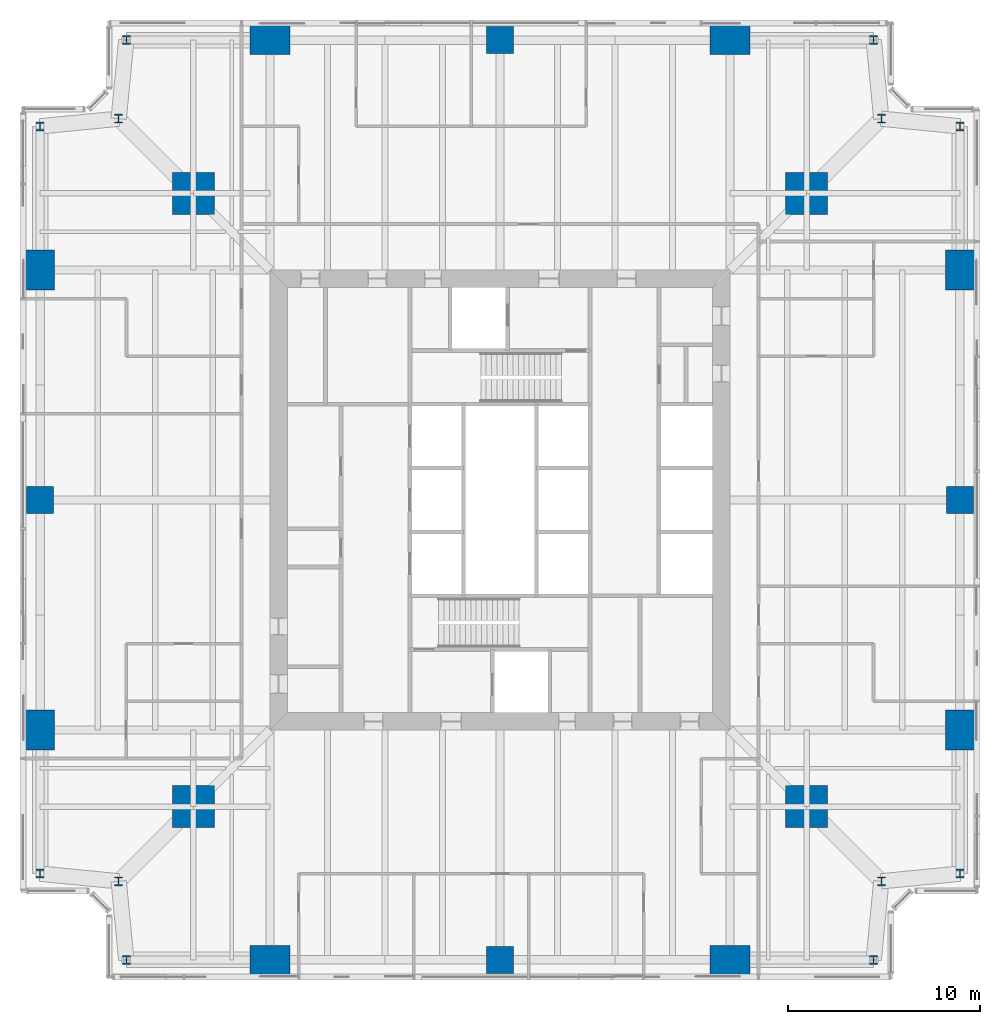
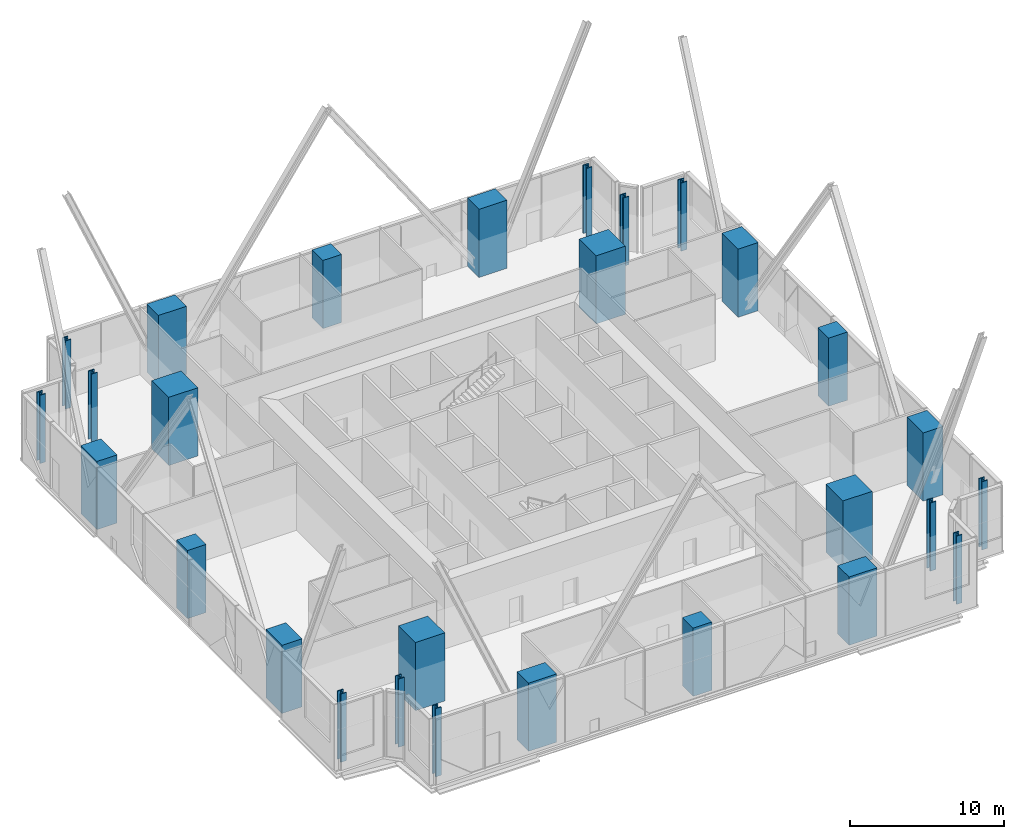
# One storey, part 1 of 13: 28 columns.
"""IFC4 building model written with IfcOpenShell, lengths in metres."""

from ifc_helpers import new_model, si_unit, direction, frame, origin, origin_2d, place, context, subcontext, project, spatial, rectangle, i_section, extrude, material, material_profile, profile_set, type_object, element, save


model = new_model("IFC4")

# Units and contexts
model_context = context("Model", 3, precision=1e-05, world=origin(), true_north=direction((0.0, 1.0)))
body_context = subcontext(model_context, "Body", "Model", "MODEL_VIEW")
ifc_project = project(units=[si_unit("LENGTHUNIT", "METRE"), si_unit("AREAUNIT", "SQUARE_METRE"), si_unit("VOLUMEUNIT", "CUBIC_METRE"), si_unit("PLANEANGLEUNIT", "RADIAN"), si_unit("MASSUNIT", "GRAM", prefix="KILO")], contexts=[model_context])

# Site, building, storey
site_placement = place(None, origin())
site = spatial("IfcSite", under=ifc_project, at=site_placement, CompositionType="ELEMENT")
building_placement = place(site_placement, origin())
building = spatial("IfcBuilding", under=site, at=building_placement, Name="Fenwick Lantern Interchange", CompositionType="ELEMENT")
storey_placement = place(building_placement, frame((0.0, 0.0, 97.0)))
storey = spatial("IfcBuildingStorey", under=building, at=storey_placement, Name="L22", CompositionType="ELEMENT", Elevation=97.0)

# Columns
ifc_material_1 = material(Name="Concrete f'c 70 MPa", Category="concrete")
ifc_material_profile_1 = material_profile(ifc_material_1, rectangle(XDim=2.199951171875, YDim=2.199951171875, at=origin_2d()), Name="RC2200X2200")
ifc_profile_set_1 = profile_set([ifc_material_profile_1], Name="Concrete f'c 70 MPa")
column_type_1 = type_object("IfcColumnType", Name="MEGA COLUMN RC2200X2200", PredefinedType="COLUMN", material=ifc_profile_set_1)
for number, where, z_axis, x_axis, name in (
    (1, (9.0, 9.0, 0.0), (0.0, 0.0, 1.0), (1.0, 0.0, 0.0), "L22/M1"),
    (2, (41.0, 9.0, 0.0), (0.0, 0.0, 1.0), (1.0, 0.0, 0.0), "L22/M2"),
    (3, (41.0, 41.0, 0.0), (0.0, 0.0, 1.0), (1.0, 0.0, 0.0), "L22/M3"),
    (4, (9.0, 41.0, 0.0), (0.0, 0.0, 1.0), (1.0, 0.0, 0.0), "L22/M4"),
):
    element("IfcColumn", number, at=place(storey_placement, frame(where, z_axis=z_axis, x_axis=x_axis)), inside=storey, type_object=column_type_1, Name=name, PredefinedType="COLUMN", context=body_context, shape_type="SweptSolid", body=[
        extrude(rectangle(XDim=2.199951171875, YDim=2.199951171875, at=origin_2d()), origin(), (0.0, 0.0, 1.0), 5.39990234375),
    ])
ifc_material_profile_2 = material_profile(ifc_material_1, rectangle(XDim=1.39990234375, YDim=1.39990234375, at=origin_2d()), Name="RC1400X1400")
ifc_profile_set_2 = profile_set([ifc_material_profile_2], Name="Concrete f'c 70 MPa")
column_type_2 = type_object("IfcColumnType", Name="PERIMETER COLUMN RC1400X1400", PredefinedType="COLUMN", material=ifc_profile_set_2)
for number, where, z_axis, x_axis, name in (
    (5, (25.0, 1.0, 0.0), (0.0, 0.0, 1.0), (1.0, 0.0, 0.0), "L22/CS3"),
    (6, (49.0, 25.0, 0.0), (0.0, 0.0, 1.0), (1.0, 0.0, 0.0), "L22/CE3"),
    (7, (25.0, 49.0, 0.0), (0.0, 0.0, 1.0), (1.0, 0.0, 0.0), "L22/CN3"),
    (8, (1.0, 25.0, 0.0), (0.0, 0.0, 1.0), (1.0, 0.0, 0.0), "L22/CW3"),
):
    element("IfcColumn", number, at=place(storey_placement, frame(where, z_axis=z_axis, x_axis=x_axis)), inside=storey, type_object=column_type_2, Name=name, PredefinedType="COLUMN", context=body_context, shape_type="SweptSolid", body=[
        extrude(rectangle(XDim=1.39990234375, YDim=1.39990234375, at=origin_2d()), origin(), (0.0, 0.0, 1.0), 5.39990234375),
    ])
ifc_material_profile_3 = material_profile(ifc_material_1, rectangle(XDim=1.5, YDim=2.10009765625, at=origin_2d()), Name="RC1500X2100")
ifc_profile_set_3 = profile_set([ifc_material_profile_3], Name="Concrete f'c 70 MPa")
column_type_3 = type_object("IfcColumnType", Name="PERIMETER COLUMN RC1500X2100", PredefinedType="COLUMN", material=ifc_profile_set_3)
for number, where, z_axis, x_axis, name in (
    (9, (49.0, 13.0, 0.0), (0.0, 0.0, 1.0), (1.0, 0.0, 0.0), "L22/CE2"),
    (10, (49.0, 37.0, 0.0), (0.0, 0.0, 1.0), (1.0, 0.0, 0.0), "L22/CE4"),
    (11, (1.0, 37.0, 0.0), (0.0, 0.0, 1.0), (1.0, 0.0, 0.0), "L22/CW2"),
    (12, (1.0, 13.0, 0.0), (0.0, 0.0, 1.0), (1.0, 0.0, 0.0), "L22/CW4"),
):
    element("IfcColumn", number, at=place(storey_placement, frame(where, z_axis=z_axis, x_axis=x_axis)), inside=storey, type_object=column_type_3, Name=name, PredefinedType="COLUMN", context=body_context, shape_type="SweptSolid", body=[
        extrude(rectangle(XDim=1.5, YDim=2.10009765625, at=origin_2d()), origin(), (0.0, 0.0, 1.0), 5.39990234375),
    ])
ifc_material_profile_4 = material_profile(ifc_material_1, rectangle(XDim=2.10009765625, YDim=1.5, at=origin_2d()), Name="RC2100X1500")
ifc_profile_set_4 = profile_set([ifc_material_profile_4], Name="Concrete f'c 70 MPa")
column_type_4 = type_object("IfcColumnType", Name="PERIMETER COLUMN RC2100X1500", PredefinedType="COLUMN", material=ifc_profile_set_4)
for number, where, z_axis, x_axis, name in (
    (13, (13.0, 1.0, 0.0), (0.0, 0.0, 1.0), (1.0, 0.0, 0.0), "L22/CS2"),
    (14, (37.0, 1.0, 0.0), (0.0, 0.0, 1.0), (1.0, 0.0, 0.0), "L22/CS4"),
    (15, (37.0, 49.0, 0.0), (0.0, 0.0, 1.0), (1.0, 0.0, 0.0), "L22/CN2"),
    (16, (13.0, 49.0, 0.0), (0.0, 0.0, 1.0), (1.0, 0.0, 0.0), "L22/CN4"),
):
    element("IfcColumn", number, at=place(storey_placement, frame(where, z_axis=z_axis, x_axis=x_axis)), inside=storey, type_object=column_type_4, Name=name, PredefinedType="COLUMN", context=body_context, shape_type="SweptSolid", body=[
        extrude(rectangle(XDim=2.10009765625, YDim=1.5, at=origin_2d()), origin(), (0.0, 0.0, 1.0), 5.39990234375),
    ])
ifc_material_2 = material(Name="Steel ASTM A992 Grade 50", Category="steel")
ifc_material_profile_5 = material_profile(ifc_material_2, i_section(OverallWidth=0.424072265625, OverallDepth=0.47509765625, WebThickness=0.0478515625, FlangeThickness=0.0771484375, at=origin_2d()), Name="W14X426")
ifc_profile_set_5 = profile_set([ifc_material_profile_5], Name="Steel ASTM A992 Grade 50")
column_type_5 = type_object("IfcColumnType", Name="PERIMETER COLUMN W14X426", PredefinedType="COLUMN", material=ifc_profile_set_5)
for number, where, z_axis, x_axis, name in (
    (17, (5.5, 1.0, 0.0), (0.0, 0.0, 1.0), (1.0, 0.0, 0.0), "L22/CS1"),
    (18, (44.5, 1.0, 0.0), (0.0, 0.0, 1.0), (1.0, 0.0, 0.0), "L22/CS5"),
    (19, (44.89990234375, 5.10009765625, 0.0), (0.0, 0.0, 1.0), (1.0, 0.0, 0.0), "L22/CSR"),
    (20, (49.0, 5.5, 0.0), (0.0, 0.0, 1.0), (1.0, 0.0, 0.0), "L22/CE1"),
    (21, (49.0, 44.5, 0.0), (0.0, 0.0, 1.0), (1.0, 0.0, 0.0), "L22/CE5"),
    (22, (44.89990234375, 44.89990234375, 0.0), (0.0, 0.0, 1.0), (1.0, 0.0, 0.0), "L22/CER"),
    (23, (44.5, 49.0, 0.0), (0.0, 0.0, 1.0), (1.0, 0.0, 0.0), "L22/CN1"),
    (24, (5.5, 49.0, 0.0), (0.0, 0.0, 1.0), (1.0, 0.0, 0.0), "L22/CN5"),
    (25, (5.10009765625, 44.89990234375, 0.0), (0.0, 0.0, 1.0), (1.0, 0.0, 0.0), "L22/CNR"),
    (26, (1.0, 44.5, 0.0), (0.0, 0.0, 1.0), (1.0, 0.0, 0.0), "L22/CW1"),
    (27, (1.0, 5.5, 0.0), (0.0, 0.0, 1.0), (1.0, 0.0, 0.0), "L22/CW5"),
    (28, (5.10009765625, 5.10009765625, 0.0), (0.0, 0.0, 1.0), (1.0, 0.0, 0.0), "L22/CWR"),
):
    element("IfcColumn", number, at=place(storey_placement, frame(where, z_axis=z_axis, x_axis=x_axis)), inside=storey, type_object=column_type_5, Name=name, PredefinedType="COLUMN", context=body_context, shape_type="SweptSolid", body=[
        extrude(i_section(OverallWidth=0.424072265625, OverallDepth=0.47509765625, WebThickness=0.0478515625, FlangeThickness=0.0771484375, at=origin_2d()), origin(), (0.0, 0.0, 1.0), 5.39990234375),
    ])

save(model, "model.ifc")
